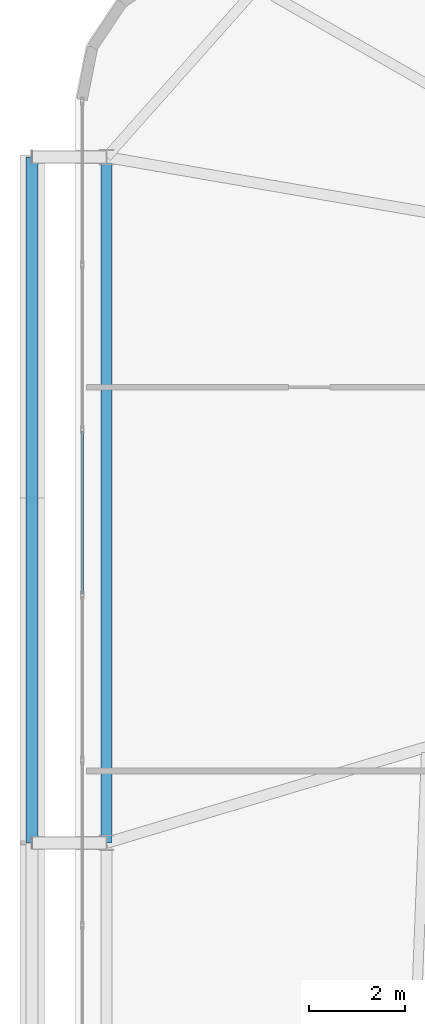
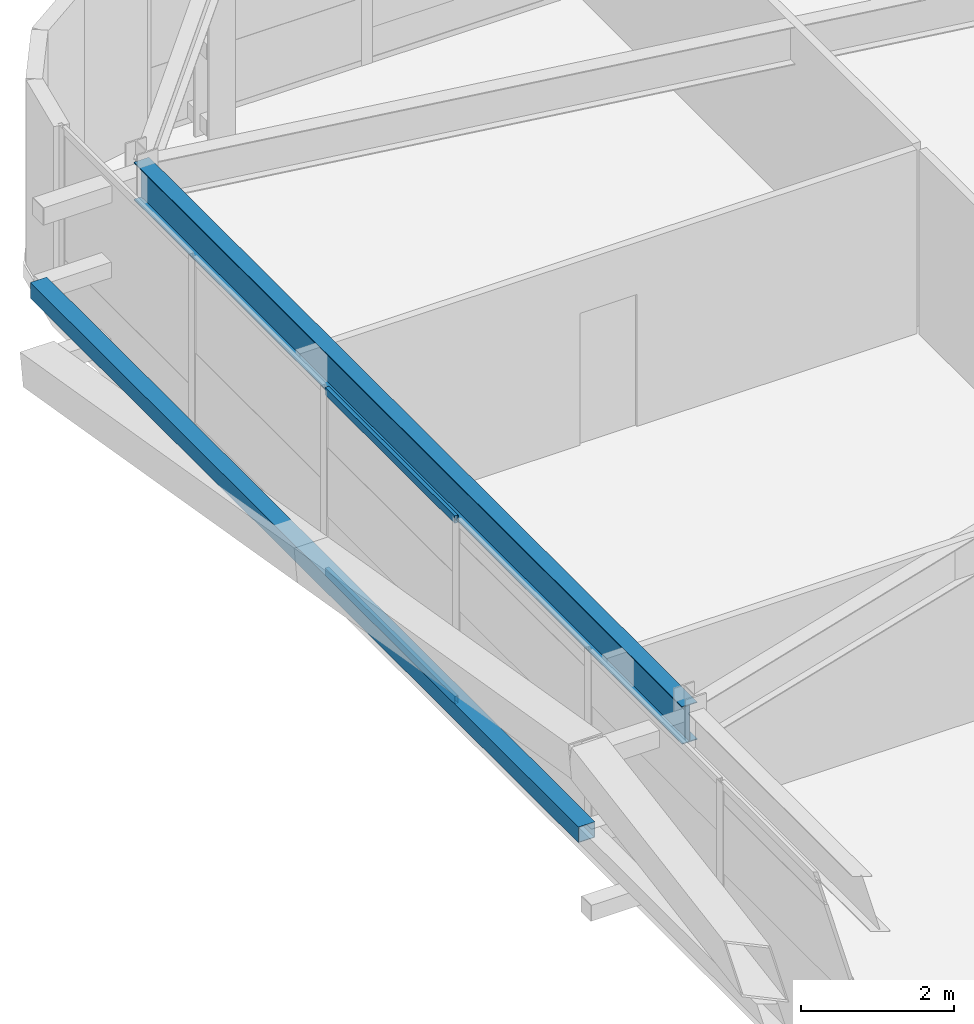
# One storey, part 17 of 59: 3 members, 1 beam, 1 element without a shape of its own.
"""IFC4 building model written with IfcOpenShell, lengths in metres."""

from ifc_helpers import new_model, si_unit, direction, frame, origin, origin_2d, place, context, subcontext, project, spatial, hollow_rectangle, i_section, extrude, source, transform, mapped, material, layer, layer_set, material_profile, profile_set, type_object, element, aggregate, save


model = new_model("IFC4")

# Units and contexts
model_context = context("Model", 3, precision=1e-05, world=origin(), true_north=direction((0.0, 1.0)))
body_context = subcontext(model_context, "Body", "Model", "MODEL_VIEW")
ifc_project = project(units=[si_unit("LENGTHUNIT", "METRE"), si_unit("AREAUNIT", "SQUARE_METRE"), si_unit("VOLUMEUNIT", "CUBIC_METRE"), si_unit("PLANEANGLEUNIT", "RADIAN"), si_unit("MASSUNIT", "GRAM", prefix="KILO")], contexts=[model_context])

# Site, building, storey
site_placement = place(None, origin())
site = spatial("IfcSite", under=ifc_project, at=site_placement, CompositionType="ELEMENT")
building_placement = place(site_placement, origin())
building = spatial("IfcBuilding", under=site, at=building_placement, Name="Taldren Reach Tower", CompositionType="ELEMENT")
storey_placement = place(building_placement, frame((0.0, 0.0, 29.39990234375)))
storey = spatial("IfcBuildingStorey", under=building, at=storey_placement, Name="L08", CompositionType="ELEMENT", Elevation=29.39990234375)

# Beam
ifc_material_1 = material(Name="Steel Gr 350 (350PLUS)", Category="steel")
ifc_material_profile_1 = material_profile(ifc_material_1, i_section(OverallWidth=0.22802734375, OverallDepth=0.60205078125, WebThickness=0.010498046875, FlangeThickness=0.014892578125, at=origin_2d()), Name="610UB101")
ifc_profile_set_1 = profile_set([ifc_material_profile_1], Name="Steel Gr 350 (350PLUS)")
beam_type = type_object("IfcBeamType", Name="BM-UB610B", PredefinedType="BEAM", material=ifc_profile_set_1)
shared_shape_1 = source(origin(), body_context, "Body", "SweptSolid", [
    extrude(i_section(OverallWidth=0.22802734375, OverallDepth=0.60205078125, WebThickness=0.010498046875, FlangeThickness=0.014892578125, at=origin_2d()), origin(), (0.0, 0.0, 1.0), 14.300048828125),
])
beam_placement = place(storey_placement, frame((5.64990234375, 34.300048828125, 2.629150390625), z_axis=(0.0, -1.0, 0.0), x_axis=(1.0, 0.0, 0.0)))
element("IfcBeam", 1, at=beam_placement, inside=storey, type_object=beam_type, Name="Perimeter gable girder B1 W3-W2 L08", PredefinedType="BEAM", context=body_context, shape_type="MappedRepresentation", body=[
    mapped(shared_shape_1, transform((0.0, 0.0, 0.0), scale=1.0)),
])

# Member
ifc_material_2 = material(Name="Steel Gr 350 (C350L0)", Category="steel")
ifc_material_profile_2 = material_profile(ifc_material_2, hollow_rectangle(XDim=0.25, YDim=0.25, WallThickness=0.010009765625, at=origin_2d()), Name="250x250x10.0SHS")
ifc_profile_set_2 = profile_set([ifc_material_profile_2], Name="Steel Gr 350 (C350L0)")
member_type_1 = type_object("IfcMemberType", Name="MB-POST250", PredefinedType="POST", material=ifc_profile_set_2)
shared_shape_2 = source(origin(), body_context, "Body", "SweptSolid", [
    extrude(hollow_rectangle(XDim=0.25, YDim=0.25, WallThickness=0.010009765625, at=origin_2d()), origin(), (0.0, 0.0, 1.0), 14.300048828125),
])
member_1_placement = place(storey_placement, frame((4.10009765625, 20.0, 1.43505859375), z_axis=(0.0, 1.0, 0.0), x_axis=(-1.0, 0.0, 0.0)))
element("IfcMember", 2, at=member_1_placement, inside=storey, type_object=member_type_1, Name="Exoskeleton mid-height ring chord B1-W2 L08", PredefinedType="POST", context=body_context, shape_type="MappedRepresentation", body=[
    mapped(shared_shape_2, transform((0.0, 0.0, 0.0), scale=1.0)),
])

# Curtain wall, members
ifc_material_3 = material(Name="Aluminium and Low-E Glass Unitised System", Category="aluminium")
ifc_layer = layer(ifc_material_3, 0.159912109375)
ifc_layer_set = layer_set([ifc_layer], Name="Aluminium and Low-E Glass Unitised System")
curtain_wall_type = type_object("IfcCurtainWallType", Name="CW-SYS-2", PredefinedType="NOTDEFINED", material=ifc_layer_set)
curtain_wall_placement = place(storey_placement, origin())
curtain_wall = element("IfcCurtainWall", 3, at=curtain_wall_placement, inside=storey, type_object=curtain_wall_type, Name="Unitised curtain wall CW-L08-W", PredefinedType="NOTDEFINED")
ifc_material_4 = material(Name="Anodised Aluminium 6063-T6", Category="aluminium")
ifc_material_profile_3 = material_profile(ifc_material_4, hollow_rectangle(XDim=0.054931640625, YDim=0.1201171875, WallThickness=0.0029296875, at=origin_2d()), Name="ALU-120x55x3RHS")
ifc_profile_set_3 = profile_set([ifc_material_profile_3], Name="Anodised Aluminium 6063-T6")
member_type_2 = type_object("IfcMemberType", Name="CW-TRN-135", PredefinedType="USERDEFINED", material=ifc_profile_set_3)
shared_shape_3 = source(origin(), body_context, "Body", "SweptSolid", [
    extrude(hollow_rectangle(XDim=0.054931640625, YDim=0.1201171875, WallThickness=0.0029296875, at=origin_2d()), origin(), (0.0, 0.0, 1.0), 3.37939453125),
])
member_2_placement = place(storey_placement, frame((5.139892578125, 28.57861328125, 0.027587890625), z_axis=(0.0, -1.0, 0.0), x_axis=(1.0, 0.0, 0.0)))
member_2 = element("IfcMember", 4, at=member_2_placement, type_object=member_type_2, Name="CW-2 transom 3.1", ObjectType="TRANSOM", PredefinedType="USERDEFINED", context=body_context, shape_type="MappedRepresentation", body=[
    mapped(shared_shape_3, transform((0.0, 0.0, 0.0), scale=1.0)),
])
member_3_placement = place(storey_placement, frame((5.139892578125, 28.57861328125, 2.902587890625), z_axis=(0.0, -1.0, 0.0), x_axis=(1.0, 0.0, 0.0)))
member_3 = element("IfcMember", 5, at=member_3_placement, type_object=member_type_2, Name="CW-2 transom 3.2", ObjectType="TRANSOM", PredefinedType="USERDEFINED", context=body_context, shape_type="MappedRepresentation", body=[
    mapped(shared_shape_3, transform((0.0, 0.0, 0.0), scale=1.0)),
])
aggregate(curtain_wall, [member_2, member_3])

save(model, "model.ifc")
